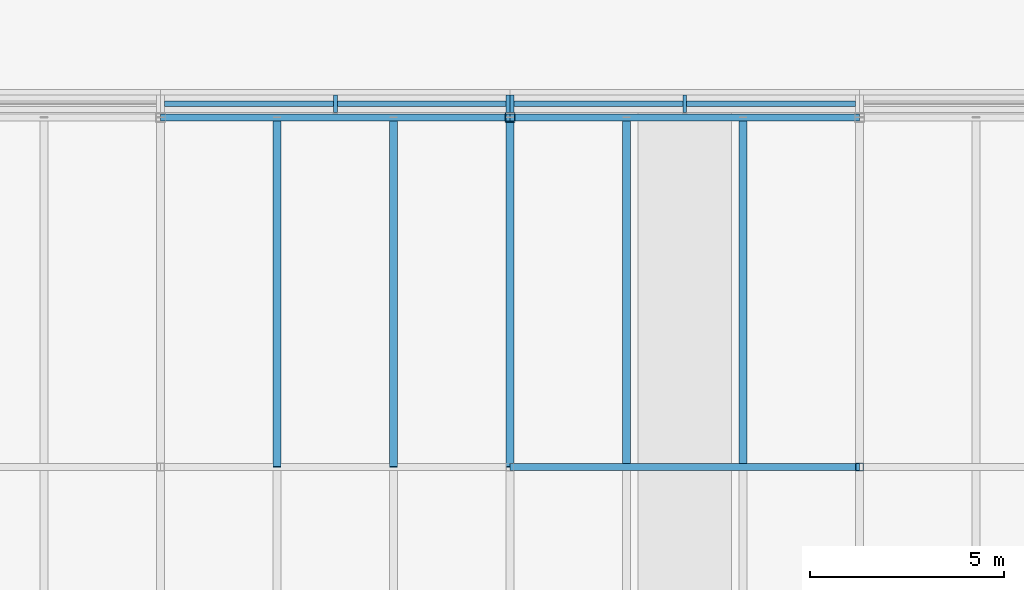
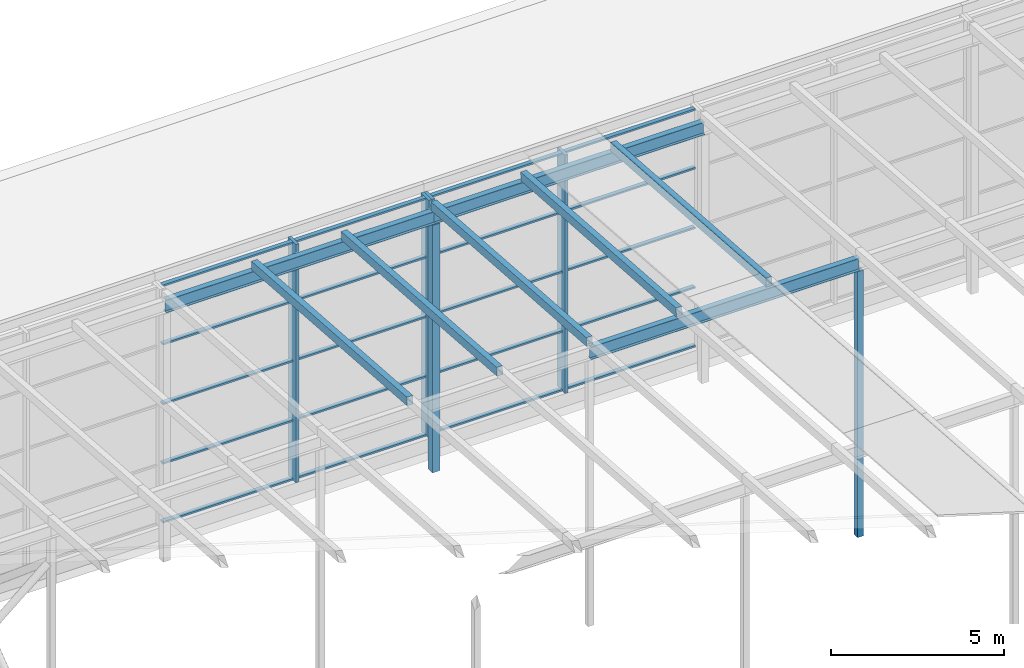
# One storey, part 37 of 84: 31 members, 3 beams, 2 elements without a shape of their own.
"""IFC4 building model written with IfcOpenShell, lengths in metres."""

from ifc_helpers import new_model, si_unit, direction, frame, origin, origin_2d, place, context, subcontext, project, spatial, rectangle, hollow_rectangle, i_section, extrude, material, material_profile, profile_set, type_object, element, aggregate, save


model = new_model("IFC4")

# Units and contexts
model_context = context("Model", 3, precision=1e-05, world=origin(), true_north=direction((0.0, 1.0)))
body_context = subcontext(model_context, "Body", "Model", "MODEL_VIEW")
ifc_project = project(units=[si_unit("LENGTHUNIT", "METRE"), si_unit("AREAUNIT", "SQUARE_METRE"), si_unit("VOLUMEUNIT", "CUBIC_METRE"), si_unit("PLANEANGLEUNIT", "RADIAN"), si_unit("MASSUNIT", "GRAM", prefix="KILO")], contexts=[model_context])

# Site, building, storey
site_placement = place(None, origin())
site = spatial("IfcSite", under=ifc_project, at=site_placement, CompositionType="ELEMENT")
building_placement = place(site_placement, origin())
building = spatial("IfcBuilding", under=site, at=building_placement, Name="Silverbay Arena", CompositionType="ELEMENT")
storey_placement = place(building_placement, frame((0.0, 0.0, 47.10009765625)))
storey = spatial("IfcBuildingStorey", under=building, at=storey_placement, Name="ROOF", CompositionType="ELEMENT", Elevation=47.10009765625)

# Curtain wall, members
ifc_material_1 = material(Name="Aluminium framed glazing", Category="aluminium")
curtain_wall_type = type_object("IfcCurtainWallType", Name="Curtain wall crown 9000 x 8425", PredefinedType="NOTDEFINED", material=ifc_material_1)
curtain_wall_1_placement = place(storey_placement, origin())
curtain_wall_1 = element("IfcCurtainWall", 1, at=curtain_wall_1_placement, inside=storey, type_object=curtain_wall_type, Name="ROOF CROWN CURTAIN WALL north bay 03", PredefinedType="NOTDEFINED")
ifc_material_2 = material(Name="Aluminium", Category="aluminium")
ifc_material_profile_1 = material_profile(ifc_material_2, rectangle(XDim=0.449951171875, YDim=0.10009765625, at=origin_2d()), Name="Mullion 100 x 450")
ifc_profile_set_1 = profile_set([ifc_material_profile_1], Name="Aluminium")
member_type_1 = type_object("IfcMemberType", Name="Mullion 100 x 450", PredefinedType="MULLION", material=ifc_profile_set_1)
placement = place(building_placement, frame((0.0, 0.0, 33.5)))
member_1_placement = place(placement, frame((103.5, 135.35009765625, 14.050048828125), z_axis=(0.0, 0.0, 1.0), x_axis=(0.0, 1.0, 0.0)))
member_1 = element("IfcMember", 2, at=member_1_placement, type_object=member_type_1, Name="CW62 mullion 2", PredefinedType="MULLION", context=body_context, shape_type="SweptSolid", body=[
    extrude(rectangle(XDim=0.449951171875, YDim=0.10009765625, at=origin_2d()), origin(), (0.0, 0.0, 1.0), 8.424560546875),
])
member_2_placement = place(placement, frame((107.949951171875, 135.35009765625, 14.050048828125), z_axis=(0.0, 0.0, 1.0), x_axis=(0.0, 1.0, 0.0)))
member_2 = element("IfcMember", 3, at=member_2_placement, type_object=member_type_1, Name="CW62 mullion 3", PredefinedType="MULLION", context=body_context, shape_type="SweptSolid", body=[
    extrude(rectangle(XDim=0.449951171875, YDim=0.10009765625, at=origin_2d()), origin(), (0.0, 0.0, 1.0), 8.424560546875),
])

curtain_wall_2_placement = place(storey_placement, origin())
curtain_wall_2 = element("IfcCurtainWall", 4, at=curtain_wall_2_placement, inside=storey, type_object=curtain_wall_type, Name="ROOF CROWN CURTAIN WALL north bay 04", PredefinedType="NOTDEFINED")
member_3_placement = place(placement, frame((108.050048828125, 135.35009765625, 14.050048828125), z_axis=(0.0, 0.0, 1.0), x_axis=(0.0, 1.0, 0.0)))
member_3 = element("IfcMember", 5, at=member_3_placement, type_object=member_type_1, Name="CW62 mullion 1", PredefinedType="MULLION", context=body_context, shape_type="SweptSolid", body=[
    extrude(rectangle(XDim=0.449951171875, YDim=0.10009765625, at=origin_2d()), origin(), (0.0, 0.0, 1.0), 8.424560546875),
])
member_4_placement = place(placement, frame((112.5, 135.35009765625, 14.050048828125), z_axis=(0.0, 0.0, 1.0), x_axis=(0.0, 1.0, 0.0)))
member_4 = element("IfcMember", 6, at=member_4_placement, type_object=member_type_1, Name="CW62 mullion 2", PredefinedType="MULLION", context=body_context, shape_type="SweptSolid", body=[
    extrude(rectangle(XDim=0.449951171875, YDim=0.10009765625, at=origin_2d()), origin(), (0.0, 0.0, 1.0), 8.424560546875),
])

# Members
ifc_material_3 = material(Name="Steel S355", Category="steel")
ifc_material_profile_2 = material_profile(ifc_material_3, hollow_rectangle(XDim=0.199951171875, YDim=0.300048828125, WallThickness=0.00634765625, at=origin_2d()), Name="RHS 300x200x6.3")
ifc_profile_set_2 = profile_set([ifc_material_profile_2], Name="Steel S355")
member_type_2 = type_object("IfcMemberType", Name="Purlin RHS 300x200x6.3", PredefinedType="PURLIN", material=ifc_profile_set_2)
for number, where, z_axis, x_axis, name in (
    (7, (102.0, 126.0, 9.3994140625), (0.0, 0.997402911363, -0.072023832195), (-1.0, 0.0, 0.0), "ROOF PURLIN crown line 08 bay 12"),
    (8, (105.0, 126.0, 9.3994140625), (0.0, 0.997402911363, -0.072023832195), (-1.0, 0.0, 0.0), "ROOF PURLIN crown line 09 bay 12"),
    (9, (108.0, 126.0, 9.3994140625), (0.0, 0.997402911363, -0.072023832195), (-1.0, 0.0, 0.0), "ROOF PURLIN crown line 10 bay 12"),
    (10, (111.0, 126.0, 9.3994140625), (0.0, 0.997402911363, -0.072023832195), (-1.0, 0.0, 0.0), "ROOF PURLIN crown line 11 bay 12"),
    (11, (114.0, 126.0, 9.3994140625), (0.0, 0.997402911363, -0.072023832195), (-1.0, 0.0, 0.0), "ROOF PURLIN crown line 12 bay 12"),
):
    element("IfcMember", number, at=place(storey_placement, frame(where, z_axis=z_axis, x_axis=x_axis)), inside=storey, type_object=member_type_2, Name=name, PredefinedType="PURLIN", context=body_context, shape_type="SweptSolid", body=[
        extrude(hollow_rectangle(XDim=0.199951171875, YDim=0.300048828125, WallThickness=0.00634765625, at=origin_2d()), origin(), (0.0, 0.0, 1.0), 9.0234375),
    ])

# Beams
ifc_material_4 = material(Name="Steel S355", Category="steel")
ifc_material_profile_3 = material_profile(ifc_material_4, i_section(OverallWidth=0.18994140625, OverallDepth=0.453369140625, WebThickness=0.008544921875, FlangeThickness=0.0126953125, at=origin_2d()), Name="UB 457x191x67")
ifc_profile_set_3 = profile_set([ifc_material_profile_3], Name="Steel S355")
beam_type = type_object("IfcBeamType", Name="Ring beam UB 457x191x67", PredefinedType="BEAM", material=ifc_profile_set_3)
for number, where, z_axis, x_axis, name in (
    (12, (108.0, 126.0, 9.0224609375), (1.0, 0.0, 0.0), (0.0, 1.0, 0.0), "RING BEAM crown row 12 13-14"),
    (13, (99.0, 135.0, 8.372314453125), (1.0, 0.0, 0.0), (0.0, 1.0, 0.0), "RING BEAM crown row 13 12-13"),
    (14, (108.0, 135.0, 8.372314453125), (1.0, 0.0, 0.0), (0.0, 1.0, 0.0), "RING BEAM crown row 13 13-14"),
):
    element("IfcBeam", number, at=place(storey_placement, frame(where, z_axis=z_axis, x_axis=x_axis)), inside=storey, type_object=beam_type, Name=name, PredefinedType="BEAM", context=body_context, shape_type="SweptSolid", body=[
        extrude(i_section(OverallWidth=0.18994140625, OverallDepth=0.453369140625, WebThickness=0.008544921875, FlangeThickness=0.0126953125, at=origin_2d()), origin(), (0.0, 0.0, 1.0), 9.0),
    ])

# Members
ifc_material_5 = material(Name="Steel S355", Category="steel")
ifc_material_profile_4 = material_profile(ifc_material_5, hollow_rectangle(XDim=0.199951171875, YDim=0.199951171875, WallThickness=0.008056640625, at=origin_2d()), Name="SHS 200x200x8")
ifc_profile_set_4 = profile_set([ifc_material_profile_4], Name="Steel S355")
member_type_3 = type_object("IfcMemberType", Name="Roof post SHS 200x200x8", PredefinedType="POST", material=ifc_profile_set_4)
member_5_placement = place(storey_placement, frame((117.0, 126.0, -0.60009765625), z_axis=(0.0, 0.0, 1.0), x_axis=(1.0, 0.0, 0.0)))
element("IfcMember", 15, at=member_5_placement, inside=storey, type_object=member_type_3, Name="ROOF CROWN POST 14 row 12", PredefinedType="POST", context=body_context, shape_type="SweptSolid", body=[
    extrude(hollow_rectangle(XDim=0.199951171875, YDim=0.199951171875, WallThickness=0.008056640625, at=origin_2d()), origin(), (0.0, 0.0, 1.0), 9.395751953125),
])
ifc_material_6 = material(Name="Steel S355", Category="steel")
ifc_material_profile_5 = material_profile(ifc_material_6, hollow_rectangle(XDim=0.25, YDim=0.25, WallThickness=0.008056640625, at=origin_2d()), Name="SHS 250x250x8")
ifc_profile_set_5 = profile_set([ifc_material_profile_5], Name="Steel S355")
member_type_4 = type_object("IfcMemberType", Name="Roof post SHS 250x250x8", PredefinedType="POST", material=ifc_profile_set_5)
member_6_placement = place(storey_placement, frame((108.0, 135.0, -0.60009765625), z_axis=(0.0, 0.0, 1.0), x_axis=(1.0, 0.0, 0.0)))
element("IfcMember", 16, at=member_6_placement, inside=storey, type_object=member_type_4, Name="ROOF CROWN POST 13 row 13", PredefinedType="POST", context=body_context, shape_type="SweptSolid", body=[
    extrude(hollow_rectangle(XDim=0.25, YDim=0.25, WallThickness=0.008056640625, at=origin_2d()), origin(), (0.0, 0.0, 1.0), 8.745849609375),
])

# Member
ifc_material_7 = material(Name="Aluminium", Category="aluminium")
ifc_material_profile_6 = material_profile(ifc_material_7, rectangle(XDim=0.139892578125, YDim=0.06005859375, at=origin_2d()), Name="Transom 60 x 140")
ifc_profile_set_6 = profile_set([ifc_material_profile_6], Name="Aluminium")
member_type_5 = type_object("IfcMemberType", Name="Transom 60 x 140", PredefinedType="USERDEFINED", material=ifc_profile_set_6)
member_7_placement = place(placement, frame((99.10009765625, 135.35009765625, 14.080078125), z_axis=(1.0, 0.0, 0.0), x_axis=(0.0, 1.0, 0.0)))
member_7 = element("IfcMember", 17, at=member_7_placement, type_object=member_type_5, Name="CW62 transom 1.1", ObjectType="TRANSOM", PredefinedType="USERDEFINED", context=body_context, shape_type="SweptSolid", body=[
    extrude(rectangle(XDim=0.139892578125, YDim=0.06005859375, at=origin_2d()), origin(), (0.0, 0.0, 1.0), 4.349853515625),
])

member_8_placement = place(placement, frame((99.10009765625, 135.35009765625, 16.15625), z_axis=(1.0, 0.0, 0.0), x_axis=(0.0, 1.0, 0.0)))
member_8 = element("IfcMember", 18, at=member_8_placement, type_object=member_type_5, Name="CW62 transom 1.2", ObjectType="TRANSOM", PredefinedType="USERDEFINED", context=body_context, shape_type="SweptSolid", body=[
    extrude(rectangle(XDim=0.139892578125, YDim=0.06005859375, at=origin_2d()), origin(), (0.0, 0.0, 1.0), 4.349853515625),
])

member_9_placement = place(placement, frame((99.10009765625, 135.35009765625, 18.262451171875), z_axis=(1.0, 0.0, 0.0), x_axis=(0.0, 1.0, 0.0)))
member_9 = element("IfcMember", 19, at=member_9_placement, type_object=member_type_5, Name="CW62 transom 1.3", ObjectType="TRANSOM", PredefinedType="USERDEFINED", context=body_context, shape_type="SweptSolid", body=[
    extrude(rectangle(XDim=0.139892578125, YDim=0.06005859375, at=origin_2d()), origin(), (0.0, 0.0, 1.0), 4.349853515625),
])

member_10_placement = place(placement, frame((99.10009765625, 135.35009765625, 20.36865234375), z_axis=(1.0, 0.0, 0.0), x_axis=(0.0, 1.0, 0.0)))
member_10 = element("IfcMember", 20, at=member_10_placement, type_object=member_type_5, Name="CW62 transom 1.4", ObjectType="TRANSOM", PredefinedType="USERDEFINED", context=body_context, shape_type="SweptSolid", body=[
    extrude(rectangle(XDim=0.139892578125, YDim=0.06005859375, at=origin_2d()), origin(), (0.0, 0.0, 1.0), 4.349853515625),
])

member_11_placement = place(placement, frame((99.10009765625, 135.35009765625, 22.44482421875), z_axis=(1.0, 0.0, 0.0), x_axis=(0.0, 1.0, 0.0)))
member_11 = element("IfcMember", 21, at=member_11_placement, type_object=member_type_5, Name="CW62 transom 1.5", ObjectType="TRANSOM", PredefinedType="USERDEFINED", context=body_context, shape_type="SweptSolid", body=[
    extrude(rectangle(XDim=0.139892578125, YDim=0.06005859375, at=origin_2d()), origin(), (0.0, 0.0, 1.0), 4.349853515625),
])

member_12_placement = place(placement, frame((103.550048828125, 135.35009765625, 14.080078125), z_axis=(1.0, 0.0, 0.0), x_axis=(0.0, 1.0, 0.0)))
member_12 = element("IfcMember", 22, at=member_12_placement, type_object=member_type_5, Name="CW62 transom 2.1", ObjectType="TRANSOM", PredefinedType="USERDEFINED", context=body_context, shape_type="SweptSolid", body=[
    extrude(rectangle(XDim=0.139892578125, YDim=0.06005859375, at=origin_2d()), origin(), (0.0, 0.0, 1.0), 4.349853515625),
])

member_13_placement = place(placement, frame((103.550048828125, 135.35009765625, 16.15625), z_axis=(1.0, 0.0, 0.0), x_axis=(0.0, 1.0, 0.0)))
member_13 = element("IfcMember", 23, at=member_13_placement, type_object=member_type_5, Name="CW62 transom 2.2", ObjectType="TRANSOM", PredefinedType="USERDEFINED", context=body_context, shape_type="SweptSolid", body=[
    extrude(rectangle(XDim=0.139892578125, YDim=0.06005859375, at=origin_2d()), origin(), (0.0, 0.0, 1.0), 4.349853515625),
])

member_14_placement = place(placement, frame((103.550048828125, 135.35009765625, 18.262451171875), z_axis=(1.0, 0.0, 0.0), x_axis=(0.0, 1.0, 0.0)))
member_14 = element("IfcMember", 24, at=member_14_placement, type_object=member_type_5, Name="CW62 transom 2.3", ObjectType="TRANSOM", PredefinedType="USERDEFINED", context=body_context, shape_type="SweptSolid", body=[
    extrude(rectangle(XDim=0.139892578125, YDim=0.06005859375, at=origin_2d()), origin(), (0.0, 0.0, 1.0), 4.349853515625),
])

member_15_placement = place(placement, frame((103.550048828125, 135.35009765625, 20.36865234375), z_axis=(1.0, 0.0, 0.0), x_axis=(0.0, 1.0, 0.0)))
member_15 = element("IfcMember", 25, at=member_15_placement, type_object=member_type_5, Name="CW62 transom 2.4", ObjectType="TRANSOM", PredefinedType="USERDEFINED", context=body_context, shape_type="SweptSolid", body=[
    extrude(rectangle(XDim=0.139892578125, YDim=0.06005859375, at=origin_2d()), origin(), (0.0, 0.0, 1.0), 4.349853515625),
])

member_16_placement = place(placement, frame((103.550048828125, 135.35009765625, 22.44482421875), z_axis=(1.0, 0.0, 0.0), x_axis=(0.0, 1.0, 0.0)))
member_16 = element("IfcMember", 26, at=member_16_placement, type_object=member_type_5, Name="CW62 transom 2.5", ObjectType="TRANSOM", PredefinedType="USERDEFINED", context=body_context, shape_type="SweptSolid", body=[
    extrude(rectangle(XDim=0.139892578125, YDim=0.06005859375, at=origin_2d()), origin(), (0.0, 0.0, 1.0), 4.349853515625),
])

aggregate(curtain_wall_1, [member_1, member_2, member_7, member_8, member_9, member_10, member_11, member_12, member_13, member_14, member_15, member_16])

member_17_placement = place(placement, frame((108.10009765625, 135.35009765625, 14.080078125), z_axis=(1.0, 0.0, 0.0), x_axis=(0.0, 1.0, 0.0)))
member_17 = element("IfcMember", 27, at=member_17_placement, type_object=member_type_5, Name="CW62 transom 1.1", ObjectType="TRANSOM", PredefinedType="USERDEFINED", context=body_context, shape_type="SweptSolid", body=[
    extrude(rectangle(XDim=0.139892578125, YDim=0.06005859375, at=origin_2d()), origin(), (0.0, 0.0, 1.0), 4.349853515625),
])

member_18_placement = place(placement, frame((108.10009765625, 135.35009765625, 16.15625), z_axis=(1.0, 0.0, 0.0), x_axis=(0.0, 1.0, 0.0)))
member_18 = element("IfcMember", 28, at=member_18_placement, type_object=member_type_5, Name="CW62 transom 1.2", ObjectType="TRANSOM", PredefinedType="USERDEFINED", context=body_context, shape_type="SweptSolid", body=[
    extrude(rectangle(XDim=0.139892578125, YDim=0.06005859375, at=origin_2d()), origin(), (0.0, 0.0, 1.0), 4.349853515625),
])

member_19_placement = place(placement, frame((108.10009765625, 135.35009765625, 18.262451171875), z_axis=(1.0, 0.0, 0.0), x_axis=(0.0, 1.0, 0.0)))
member_19 = element("IfcMember", 29, at=member_19_placement, type_object=member_type_5, Name="CW62 transom 1.3", ObjectType="TRANSOM", PredefinedType="USERDEFINED", context=body_context, shape_type="SweptSolid", body=[
    extrude(rectangle(XDim=0.139892578125, YDim=0.06005859375, at=origin_2d()), origin(), (0.0, 0.0, 1.0), 4.349853515625),
])

member_20_placement = place(placement, frame((108.10009765625, 135.35009765625, 20.36865234375), z_axis=(1.0, 0.0, 0.0), x_axis=(0.0, 1.0, 0.0)))
member_20 = element("IfcMember", 30, at=member_20_placement, type_object=member_type_5, Name="CW62 transom 1.4", ObjectType="TRANSOM", PredefinedType="USERDEFINED", context=body_context, shape_type="SweptSolid", body=[
    extrude(rectangle(XDim=0.139892578125, YDim=0.06005859375, at=origin_2d()), origin(), (0.0, 0.0, 1.0), 4.349853515625),
])

member_21_placement = place(placement, frame((108.10009765625, 135.35009765625, 22.44482421875), z_axis=(1.0, 0.0, 0.0), x_axis=(0.0, 1.0, 0.0)))
member_21 = element("IfcMember", 31, at=member_21_placement, type_object=member_type_5, Name="CW62 transom 1.5", ObjectType="TRANSOM", PredefinedType="USERDEFINED", context=body_context, shape_type="SweptSolid", body=[
    extrude(rectangle(XDim=0.139892578125, YDim=0.06005859375, at=origin_2d()), origin(), (0.0, 0.0, 1.0), 4.349853515625),
])

member_22_placement = place(placement, frame((112.550048828125, 135.35009765625, 14.080078125), z_axis=(1.0, 0.0, 0.0), x_axis=(0.0, 1.0, 0.0)))
member_22 = element("IfcMember", 32, at=member_22_placement, type_object=member_type_5, Name="CW62 transom 2.1", ObjectType="TRANSOM", PredefinedType="USERDEFINED", context=body_context, shape_type="SweptSolid", body=[
    extrude(rectangle(XDim=0.139892578125, YDim=0.06005859375, at=origin_2d()), origin(), (0.0, 0.0, 1.0), 4.349853515625),
])

member_23_placement = place(placement, frame((112.550048828125, 135.35009765625, 16.15625), z_axis=(1.0, 0.0, 0.0), x_axis=(0.0, 1.0, 0.0)))
member_23 = element("IfcMember", 33, at=member_23_placement, type_object=member_type_5, Name="CW62 transom 2.2", ObjectType="TRANSOM", PredefinedType="USERDEFINED", context=body_context, shape_type="SweptSolid", body=[
    extrude(rectangle(XDim=0.139892578125, YDim=0.06005859375, at=origin_2d()), origin(), (0.0, 0.0, 1.0), 4.349853515625),
])

member_24_placement = place(placement, frame((112.550048828125, 135.35009765625, 18.262451171875), z_axis=(1.0, 0.0, 0.0), x_axis=(0.0, 1.0, 0.0)))
member_24 = element("IfcMember", 34, at=member_24_placement, type_object=member_type_5, Name="CW62 transom 2.3", ObjectType="TRANSOM", PredefinedType="USERDEFINED", context=body_context, shape_type="SweptSolid", body=[
    extrude(rectangle(XDim=0.139892578125, YDim=0.06005859375, at=origin_2d()), origin(), (0.0, 0.0, 1.0), 4.349853515625),
])

member_25_placement = place(placement, frame((112.550048828125, 135.35009765625, 20.36865234375), z_axis=(1.0, 0.0, 0.0), x_axis=(0.0, 1.0, 0.0)))
member_25 = element("IfcMember", 35, at=member_25_placement, type_object=member_type_5, Name="CW62 transom 2.4", ObjectType="TRANSOM", PredefinedType="USERDEFINED", context=body_context, shape_type="SweptSolid", body=[
    extrude(rectangle(XDim=0.139892578125, YDim=0.06005859375, at=origin_2d()), origin(), (0.0, 0.0, 1.0), 4.349853515625),
])

member_26_placement = place(placement, frame((112.550048828125, 135.35009765625, 22.44482421875), z_axis=(1.0, 0.0, 0.0), x_axis=(0.0, 1.0, 0.0)))
member_26 = element("IfcMember", 36, at=member_26_placement, type_object=member_type_5, Name="CW62 transom 2.5", ObjectType="TRANSOM", PredefinedType="USERDEFINED", context=body_context, shape_type="SweptSolid", body=[
    extrude(rectangle(XDim=0.139892578125, YDim=0.06005859375, at=origin_2d()), origin(), (0.0, 0.0, 1.0), 4.349853515625),
])

aggregate(curtain_wall_2, [member_3, member_4, member_17, member_18, member_19, member_20, member_21, member_22, member_23, member_24, member_25, member_26])

save(model, "model.ifc")
